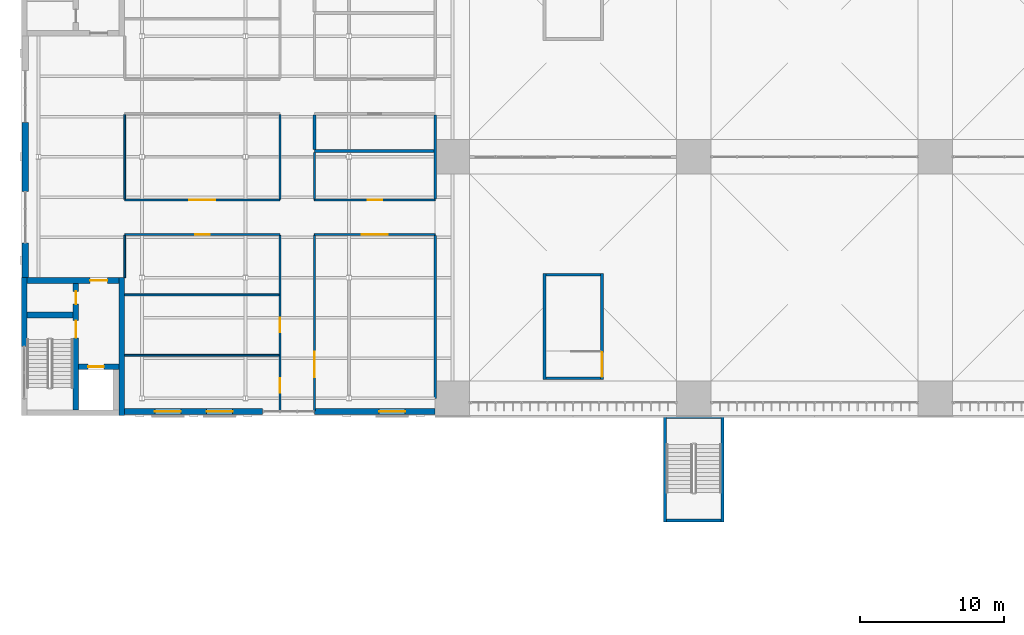
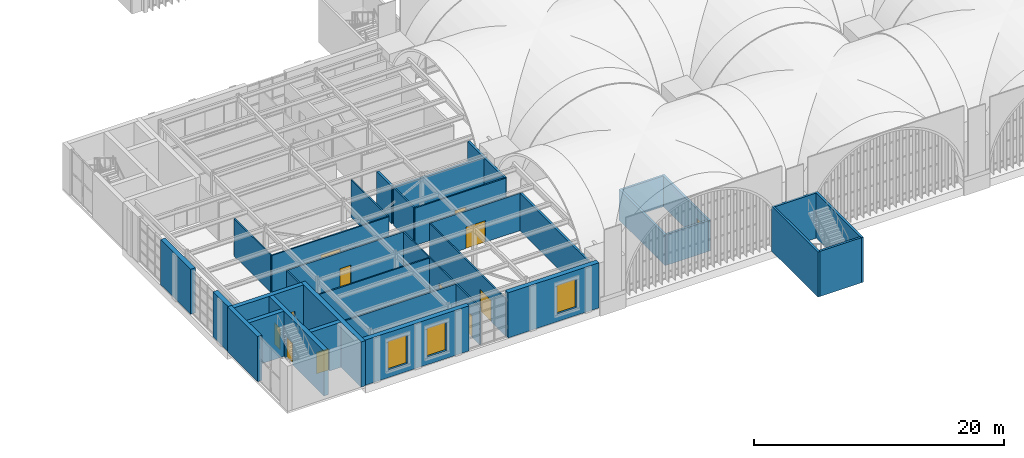
# One storey, part 97 of 169: 34 walls, 12 doors, 3 windows, 15 openings.
"""IFC4 building model written with IfcOpenShell, lengths in metres."""

from ifc_helpers import new_model, si_unit, direction, frame, frame_2d, origin, place, context, subcontext, project, spatial, rectangle, extrude, material, layer, layer_set, type_object, element, fill, save


model = new_model("IFC4")

# Units and contexts
model_context = context("Model", 3, precision=1e-05, world=origin(), true_north=direction((0.0, 1.0)))
body_context = subcontext(model_context, "Body", "Model", "MODEL_VIEW")
ifc_project = project(units=[si_unit("LENGTHUNIT", "METRE"), si_unit("AREAUNIT", "SQUARE_METRE"), si_unit("VOLUMEUNIT", "CUBIC_METRE"), si_unit("PLANEANGLEUNIT", "RADIAN"), si_unit("MASSUNIT", "GRAM", prefix="KILO")], contexts=[model_context])

# Site, building, storey
site_placement = place(None, origin())
site = spatial("IfcSite", under=ifc_project, at=site_placement, CompositionType="ELEMENT")
building_placement = place(site_placement, origin())
building = spatial("IfcBuilding", under=site, at=building_placement, Name="Verrick Yard Athletic Hall", CompositionType="ELEMENT")
storey_placement = place(building_placement, frame((0.0, 0.0, 4.39990234375)))
storey = spatial("IfcBuildingStorey", under=building, at=storey_placement, Name="L01", CompositionType="ELEMENT", Elevation=4.39990234375)

# Wall, openings, doors
ifc_material_1 = material(Name="Concrete 35 MPa", Category="concrete")
ifc_layer_1 = layer(ifc_material_1, 0.39990234375)
ifc_layer_set_1 = layer_set([ifc_layer_1], Name="Core wall CR400")
wall_type_1 = type_object("IfcWallType", Name="Core wall CR400", PredefinedType="SHEAR", material=ifc_layer_set_1)
wall_1_placement = place(storey_placement, frame((13.800048828125, 18.39990234375, 0.0), z_axis=(0.0, 0.0, 1.0), x_axis=(0.0, 1.0, 0.0)))
wall_1 = element("IfcWall", 1, at=wall_1_placement, inside=storey, type_object=wall_type_1, Name="CORE-CB1-WP-L01", PredefinedType="SHEAR", context=body_context, shape_type="SweptSolid", body=[
    extrude(rectangle(XDim=8.800048828125, YDim=0.39990234375, at=frame_2d((4.39990234375, 0.0))), origin(), (0.0, 0.0, 1.0), 4.400146484375),
])
opening_1_placement = place(wall_1_placement, frame((5.0, 0.0, 0.0)))
opening_1 = element("IfcOpeningElement", 2, at=opening_1_placement, cuts=wall_1, Name="Opening SD1", PredefinedType="OPENING", context=body_context, shape_type="SweptSolid", body=[
    extrude(rectangle(XDim=1.199951171875, YDim=2.10009765625, at=frame_2d((0.60009765625, 1.050048828125))), frame((0.0, 0.2099609375, 0.0), z_axis=(0.0, -1.0, 0.0), x_axis=(1.0, 0.0, 0.0)), (0.0, 0.0, 1.0), 0.419921875),
])
opening_2_placement = place(wall_1_placement, frame((7.35009765625, 0.0, 0.0)))
opening_2 = element("IfcOpeningElement", 3, at=opening_2_placement, cuts=wall_1, Name="Opening RD1", PredefinedType="OPENING", context=body_context, shape_type="SweptSolid", body=[
    extrude(rectangle(XDim=0.89990234375, YDim=2.10009765625, at=frame_2d((0.449951171875, 1.050048828125))), frame((0.0, 0.2099609375, 0.0), z_axis=(0.0, -1.0, 0.0), x_axis=(1.0, 0.0, 0.0)), (0.0, 0.0, 1.0), 0.419921875),
])
ifc_material_2 = material(Name="Hollow metal door leaf")
door_type_1 = type_object("IfcDoorType", Name="Core door RD1 900x2100", OperationType="NOTDEFINED", PredefinedType="DOOR", material=ifc_material_2)
door_1_placement = place(opening_2_placement, origin())
door_1 = element("IfcDoor", 4, at=door_1_placement, inside=storey, type_object=door_type_1, Name="CORE-CB1-WP-L01-DRD1-2620", OperationType="SINGLE_SWING_LEFT", OverallHeight=2.10009765625, OverallWidth=0.89990234375, PredefinedType="DOOR", context=body_context, shape_type="SweptSolid", body=[
    extrude(rectangle(XDim=0.89990234375, YDim=2.10009765625, at=frame_2d((0.449951171875, 1.050048828125))), frame((0.0, 0.02490234375, 0.0), z_axis=(0.0, -1.0, 0.0), x_axis=(1.0, 0.0, 0.0)), (0.0, 0.0, 1.0), 0.050048828125),
])
fill(opening_2, door_1)
door_type_2 = type_object("IfcDoorType", Name="Core door SD1 1200x2100", OperationType="NOTDEFINED", PredefinedType="DOOR", material=ifc_material_2)
door_2_placement = place(opening_1_placement, origin())
door_2 = element("IfcDoor", 5, at=door_2_placement, inside=storey, type_object=door_type_2, Name="CORE-CB1-WP-L01-DSD1-2400", OperationType="SINGLE_SWING_LEFT", OverallHeight=2.10009765625, OverallWidth=1.199951171875, PredefinedType="DOOR", context=body_context, shape_type="SweptSolid", body=[
    extrude(rectangle(XDim=1.199951171875, YDim=2.10009765625, at=frame_2d((0.60009765625, 1.050048828125))), frame((0.0, 0.02490234375, 0.0), z_axis=(0.0, -1.0, 0.0), x_axis=(1.0, 0.0, 0.0)), (0.0, 0.0, 1.0), 0.050048828125),
])
fill(opening_1, door_2)

# Wall
wall_2_placement = place(storey_placement, frame((10.39990234375, 25.0, 0.0), z_axis=(0.0, 0.0, 1.0), x_axis=(1.0, 0.0, 0.0)))
element("IfcWall", 6, at=wall_2_placement, inside=storey, type_object=wall_type_1, Name="CORE-CB1-WSN-L01", PredefinedType="SHEAR", context=body_context, shape_type="SweptSolid", body=[
    extrude(rectangle(XDim=3.2001953125, YDim=0.39990234375, at=frame_2d((1.60009765625, 0.0))), origin(), (0.0, 0.0, 1.0), 4.400146484375),
])

# Wall, opening, door
wall_3_placement = place(storey_placement, frame((14.0, 21.39990234375, 0.0), z_axis=(0.0, 0.0, 1.0), x_axis=(1.0, 0.0, 0.0)))
wall_3 = element("IfcWall", 7, at=wall_3_placement, inside=storey, type_object=wall_type_1, Name="CORE-CB1-WLN-L01", PredefinedType="SHEAR", context=body_context, shape_type="SweptSolid", body=[
    extrude(rectangle(XDim=2.800048828125, YDim=0.39990234375, at=frame_2d((1.39990234375, 0.0))), origin(), (0.0, 0.0, 1.0), 4.400146484375),
])
opening_3_placement = place(wall_3_placement, frame((0.64990234375, 0.0, 0.0)))
opening_3 = element("IfcOpeningElement", 8, at=opening_3_placement, cuts=wall_3, Name="Opening LD", PredefinedType="OPENING", context=body_context, shape_type="SweptSolid", body=[
    extrude(rectangle(XDim=1.10009765625, YDim=2.10009765625, at=frame_2d((0.550048828125, 1.050048828125))), frame((0.0, 0.2099609375, 0.0), z_axis=(0.0, -1.0, 0.0), x_axis=(1.0, 0.0, 0.0)), (0.0, 0.0, 1.0), 0.419921875),
])
ifc_material_3 = material(Name="Stainless steel landing door", Category="steel")
door_type_3 = type_object("IfcDoorType", Name="Lift landing door LD 1100x2100", OperationType="NOTDEFINED", PredefinedType="DOOR", material=ifc_material_3)
door_3_placement = place(opening_3_placement, origin())
door_3 = element("IfcDoor", 9, at=door_3_placement, inside=storey, type_object=door_type_3, Name="Lift landing door", OperationType="SLIDING_TO_LEFT", OverallHeight=2.10009765625, OverallWidth=1.10009765625, PredefinedType="DOOR", context=body_context, shape_type="SweptSolid", body=[
    extrude(rectangle(XDim=1.10009765625, YDim=2.10009765625, at=frame_2d((0.550048828125, 1.050048828125))), frame((0.0, 0.02490234375, 0.0), z_axis=(0.0, -1.0, 0.0), x_axis=(1.0, 0.0, 0.0)), (0.0, 0.0, 1.0), 0.050048828125),
])
fill(opening_3, door_3)

# Wall
ifc_layer_2 = layer(ifc_material_1, 0.199951171875)
ifc_layer_set_2 = layer_set([ifc_layer_2], Name="Enclosure wall CR200")
wall_type_2 = type_object("IfcWallType", Name="Enclosure wall CR200", PredefinedType="SOLIDWALL", material=ifc_layer_set_2)
wall_4_placement = place(storey_placement, frame((46.39990234375, 20.5, 0.0), z_axis=(0.0, 0.0, 1.0), x_axis=(0.0, 1.0, 0.0)))
element("IfcWall", 10, at=wall_4_placement, inside=storey, type_object=wall_type_2, Name="CORE-PS-S1-WW-L01", PredefinedType="SOLIDWALL", context=body_context, shape_type="SweptSolid", body=[
    extrude(rectangle(XDim=7.39990234375, YDim=0.199951171875, at=frame_2d((3.699951171875, 0.0))), origin(), (0.0, 0.0, 1.0), 3.0),
])

# Wall, opening, door
wall_5_placement = place(storey_placement, frame((50.39990234375, 20.5, 0.0), z_axis=(0.0, 0.0, 1.0), x_axis=(0.0, 1.0, 0.0)))
wall_5 = element("IfcWall", 11, at=wall_5_placement, inside=storey, type_object=wall_type_2, Name="CORE-PS-S1-WE-L01", PredefinedType="SOLIDWALL", context=body_context, shape_type="SweptSolid", body=[
    extrude(rectangle(XDim=7.39990234375, YDim=0.199951171875, at=frame_2d((3.699951171875, 0.0))), origin(), (0.0, 0.0, 1.0), 3.0),
])
opening_4_placement = place(wall_5_placement, frame((0.199951171875, 0.0, 0.0)))
opening_4 = element("IfcOpeningElement", 12, at=opening_4_placement, cuts=wall_5, Name="Opening SD2", PredefinedType="OPENING", context=body_context, shape_type="SweptSolid", body=[
    extrude(rectangle(XDim=1.699951171875, YDim=2.10009765625, at=frame_2d((0.85009765625, 1.050048828125))), frame((0.0, 0.10986328125, 0.0), z_axis=(0.0, -1.0, 0.0), x_axis=(1.0, 0.0, 0.0)), (0.0, 0.0, 1.0), 0.219970703125),
])
door_type_4 = type_object("IfcDoorType", Name="Core door SD2 1700x2100", OperationType="NOTDEFINED", PredefinedType="DOOR", material=ifc_material_2)
door_4_placement = place(opening_4_placement, origin())
door_4 = element("IfcDoor", 13, at=door_4_placement, inside=storey, type_object=door_type_4, Name="CORE-PS-S1-WE-L01-DSD2-2155", OperationType="DOUBLE_DOOR_SINGLE_SWING", OverallHeight=2.10009765625, OverallWidth=1.699951171875, PredefinedType="DOOR", context=body_context, shape_type="SweptSolid", body=[
    extrude(rectangle(XDim=1.699951171875, YDim=2.10009765625, at=frame_2d((0.85009765625, 1.050048828125))), frame((0.0, 0.02490234375, 0.0), z_axis=(0.0, -1.0, 0.0), x_axis=(1.0, 0.0, 0.0)), (0.0, 0.0, 1.0), 0.050048828125),
])
fill(opening_4, door_4)

# Walls
for number, where, z_axis, x_axis, name in (
    (14, (46.5, 20.60009765625, 0.0), (0.0, 0.0, 1.0), (1.0, 0.0, 0.0), "CORE-PS-S1-WS-L01"),
    (15, (46.5, 27.800048828125, 0.0), (0.0, 0.0, 1.0), (1.0, 0.0, 0.0), "CORE-PS-S1-WN-L01"),
):
    element("IfcWall", number, at=place(storey_placement, frame(where, z_axis=z_axis, x_axis=x_axis)), inside=storey, type_object=wall_type_2, Name=name, PredefinedType="SOLIDWALL", context=body_context, shape_type="SweptSolid", body=[
        extrude(rectangle(XDim=3.800048828125, YDim=0.199951171875, at=frame_2d((1.89990234375, 0.0))), origin(), (0.0, 0.0, 1.0), 3.0),
    ])
ifc_layer_3 = layer(ifc_material_1, 0.39990234375)
ifc_layer_set_3 = layer_set([ifc_layer_3], Name="External core wall CR400")
wall_type_3 = type_object("IfcWallType", Name="External core wall CR400", PredefinedType="SHEAR", material=ifc_layer_set_3)
wall_6_placement = place(storey_placement, frame((10.199951171875, 22.800048828125, 0.0), z_axis=(0.0, 0.0, 1.0), x_axis=(0.0, 1.0, 0.0)))
element("IfcWall", 16, at=wall_6_placement, inside=storey, type_object=wall_type_3, Name="CORE-CB1-WW-L01-1", PredefinedType="SHEAR", context=body_context, shape_type="SweptSolid", body=[
    extrude(rectangle(XDim=4.800048828125, YDim=0.39990234375, at=frame_2d((2.39990234375, 0.0))), origin(), (0.0, 0.0, 1.0), 4.400146484375),
])
wall_7_placement = place(storey_placement, frame((17.0, 18.0, 0.0), z_axis=(0.0, 0.0, 1.0), x_axis=(0.0, 1.0, 0.0)))
element("IfcWall", 17, at=wall_7_placement, inside=storey, type_object=wall_type_3, Name="CORE-CB1-WE-L01", PredefinedType="SHEAR", context=body_context, shape_type="SweptSolid", body=[
    extrude(rectangle(XDim=9.60009765625, YDim=0.39990234375, at=frame_2d((4.800048828125, 0.0))), origin(), (0.0, 0.0, 1.0), 4.400146484375),
])

# Wall, opening, door
wall_8_placement = place(storey_placement, frame((10.39990234375, 27.39990234375, 0.0), z_axis=(0.0, 0.0, 1.0), x_axis=(1.0, 0.0, 0.0)))
wall_8 = element("IfcWall", 18, at=wall_8_placement, inside=storey, type_object=wall_type_3, Name="CORE-CB1-WN-L01", PredefinedType="SHEAR", context=body_context, shape_type="SweptSolid", body=[
    extrude(rectangle(XDim=6.400146484375, YDim=0.39990234375, at=frame_2d((3.2001953125, 0.0))), origin(), (0.0, 0.0, 1.0), 4.400146484375),
])
opening_5_placement = place(wall_8_placement, frame((4.39990234375, 0.0, 0.0)))
opening_5 = element("IfcOpeningElement", 19, at=opening_5_placement, cuts=wall_8, Name="Opening LB1", PredefinedType="OPENING", context=body_context, shape_type="SweptSolid", body=[
    extrude(rectangle(XDim=1.199951171875, YDim=2.10009765625, at=frame_2d((0.60009765625, 1.050048828125))), frame((0.0, 0.2099609375, 0.0), z_axis=(0.0, -1.0, 0.0), x_axis=(1.0, 0.0, 0.0)), (0.0, 0.0, 1.0), 0.419921875),
])
door_type_5 = type_object("IfcDoorType", Name="Core door LB1 1200x2100", OperationType="NOTDEFINED", PredefinedType="DOOR", material=ifc_material_2)
door_5_placement = place(opening_5_placement, origin())
door_5 = element("IfcDoor", 20, at=door_5_placement, inside=storey, type_object=door_type_5, Name="CORE-CB1-WN-L01-DLB1-1540", OperationType="SINGLE_SWING_LEFT", OverallHeight=2.10009765625, OverallWidth=1.199951171875, PredefinedType="DOOR", context=body_context, shape_type="SweptSolid", body=[
    extrude(rectangle(XDim=1.199951171875, YDim=2.10009765625, at=frame_2d((0.60009765625, 1.050048828125))), frame((0.0, 0.02490234375, 0.0), z_axis=(0.0, -1.0, 0.0), x_axis=(1.0, 0.0, 0.0)), (0.0, 0.0, 1.0), 0.050048828125),
])
fill(opening_5, door_5)

# Walls
ifc_layer_4 = layer(ifc_material_1, 0.199951171875)
ifc_layer_set_4 = layer_set([ifc_layer_4], Name="External enclosure wall CR200")
wall_type_4 = type_object("IfcWallType", Name="External enclosure wall CR200", PredefinedType="SOLIDWALL", material=ifc_layer_set_4)
for number, where, z_axis, x_axis, name in (
    (21, (54.800048828125, 10.60009765625, 0.0), (0.0, 0.0, 1.0), (0.0, 1.0, 0.0), "CORE-DT-S1-WW-L01"),
    (22, (58.800048828125, 18.0, 0.0), (0.0, 0.0, 1.0), (0.0, -1.0, 0.0), "CORE-DT-S1-WE-L01"),
):
    element("IfcWall", number, at=place(storey_placement, frame(where, z_axis=z_axis, x_axis=x_axis)), inside=storey, type_object=wall_type_4, Name=name, PredefinedType="SOLIDWALL", context=body_context, shape_type="SweptSolid", body=[
        extrude(rectangle(XDim=7.39990234375, YDim=0.199951171875, at=frame_2d((3.699951171875, 0.0))), origin(), (0.0, 0.0, 1.0), 4.400146484375),
    ])
for number, where, z_axis, x_axis, name in (
    (23, (54.89990234375, 10.699951171875, 0.0), (0.0, 0.0, 1.0), (1.0, 0.0, 0.0), "CORE-DT-S1-WS-L01"),
    (24, (54.89990234375, 17.89990234375, 0.0), (0.0, 0.0, 1.0), (1.0, 0.0, 0.0), "CORE-DT-S1-WN-L01"),
):
    element("IfcWall", number, at=place(storey_placement, frame(where, z_axis=z_axis, x_axis=x_axis)), inside=storey, type_object=wall_type_4, Name=name, PredefinedType="SOLIDWALL", context=body_context, shape_type="SweptSolid", body=[
        extrude(rectangle(XDim=3.800048828125, YDim=0.199951171875, at=frame_2d((1.89990234375, 0.0))), origin(), (0.0, 0.0, 1.0), 4.400146484375),
    ])
ifc_material_4 = material(Name="Concrete masonry block 15 MPa", Category="masonry")
ifc_layer_5 = layer(ifc_material_4, 0.199951171875)
ifc_layer_set_5 = layer_set([ifc_layer_5], Name="PW1 Block partition 200")
wall_type_5 = type_object("IfcWallType", Name="PW1 Block partition 200", PredefinedType="PARTITIONING", material=ifc_layer_set_5)
wall_9_placement = place(storey_placement, frame((30.39990234375, 36.39990234375, 0.0), z_axis=(0.0, 0.0, 1.0), x_axis=(1.0, 0.0, 0.0)))
element("IfcWall", 25, at=wall_9_placement, inside=storey, type_object=wall_type_5, Name="Partition PW1", PredefinedType="PARTITIONING", context=body_context, shape_type="SweptSolid", body=[
    extrude(rectangle(XDim=8.300048828125, YDim=0.199951171875, at=frame_2d((4.14990234375, 0.0))), origin(), (0.0, 0.0, 1.0), 3.650146484375),
])
wall_10_placement = place(storey_placement, frame((30.39990234375, 36.5, 0.0), z_axis=(0.0, 0.0, 1.0), x_axis=(0.0, 1.0, 0.0)))
element("IfcWall", 26, at=wall_10_placement, inside=storey, type_object=wall_type_5, Name="Partition PW1", PredefinedType="PARTITIONING", context=body_context, shape_type="SweptSolid", body=[
    extrude(rectangle(XDim=2.39990234375, YDim=0.199951171875, at=frame_2d((1.199951171875, 0.0))), origin(), (0.0, 0.0, 1.0), 3.650146484375),
])
ifc_material_5 = material(Name="Gypsum plasterboard on light-gauge studs")
ifc_layer_6 = layer(ifc_material_5, 0.125)
ifc_layer_set_6 = layer_set([ifc_layer_6], Name="PW2 Stud partition 125")
wall_type_6 = type_object("IfcWallType", Name="PW2 Stud partition 125", PredefinedType="PARTITIONING", material=ifc_layer_set_6)
for number, where, z_axis, x_axis, name in (
    (27, (17.199951171875, 22.199951171875, 0.0), (0.0, 0.0, 1.0), (1.0, 0.0, 0.0), "Partition PW2"),
    (28, (17.199951171875, 26.39990234375, 0.0), (0.0, 0.0, 1.0), (1.0, 0.0, 0.0), "Partition PW2"),
):
    element("IfcWall", number, at=place(storey_placement, frame(where, z_axis=z_axis, x_axis=x_axis)), inside=storey, type_object=wall_type_6, Name=name, PredefinedType="PARTITIONING", context=body_context, shape_type="SweptSolid", body=[
        extrude(rectangle(XDim=10.737548828125, YDim=0.125, at=frame_2d((5.36865234375, 0.0))), origin(), (0.0, 0.0, 1.0), 3.650146484375),
    ])

# Wall, opening, door
wall_11_placement = place(storey_placement, frame((17.199951171875, 30.60009765625, 0.0), z_axis=(0.0, 0.0, 1.0), x_axis=(1.0, 0.0, 0.0)))
wall_11 = element("IfcWall", 29, at=wall_11_placement, inside=storey, type_object=wall_type_6, Name="Partition PW2", PredefinedType="PARTITIONING", context=body_context, shape_type="SweptSolid", body=[
    extrude(rectangle(XDim=10.800048828125, YDim=0.125, at=frame_2d((5.39990234375, 0.0))), origin(), (0.0, 0.0, 1.0), 3.650146484375),
])
opening_6_placement = place(wall_11_placement, frame((4.89990234375, 0.0, 0.0)))
opening_6 = element("IfcOpeningElement", 30, at=opening_6_placement, cuts=wall_11, Name="Opening D1", PredefinedType="OPENING", context=body_context, shape_type="SweptSolid", body=[
    extrude(rectangle(XDim=1.0, YDim=2.10009765625, at=frame_2d((0.5, 1.050048828125))), frame((0.0, 0.072509765625, 0.0), z_axis=(0.0, -1.0, 0.0), x_axis=(1.0, 0.0, 0.0)), (0.0, 0.0, 1.0), 0.14501953125),
])
ifc_material_6 = material(Name="Timber door leaf in steel frame", Category="steel")
door_type_6 = type_object("IfcDoorType", Name="D1 Single door 1000 x 2100", OperationType="NOTDEFINED", PredefinedType="DOOR", material=ifc_material_6)
door_6_placement = place(opening_6_placement, origin())
door_6 = element("IfcDoor", 31, at=door_6_placement, inside=storey, type_object=door_type_6, Name="D1 Consulting Room 3", OperationType="SINGLE_SWING_RIGHT", OverallHeight=2.10009765625, OverallWidth=1.0, PredefinedType="DOOR", context=body_context, shape_type="SweptSolid", body=[
    extrude(rectangle(XDim=1.0, YDim=2.10009765625, at=frame_2d((0.5, 1.050048828125))), frame((0.0, 0.02490234375, 0.0), z_axis=(0.0, -1.0, 0.0), x_axis=(1.0, 0.0, 0.0)), (0.0, 0.0, 1.0), 0.050048828125),
])
fill(opening_6, door_6)

wall_12_placement = place(storey_placement, frame((30.39990234375, 30.60009765625, 0.0), z_axis=(0.0, 0.0, 1.0), x_axis=(1.0, 0.0, 0.0)))
wall_12 = element("IfcWall", 32, at=wall_12_placement, inside=storey, type_object=wall_type_6, Name="Partition PW2", PredefinedType="PARTITIONING", context=body_context, shape_type="SweptSolid", body=[
    extrude(rectangle(XDim=8.400146484375, YDim=0.125, at=frame_2d((4.2001953125, 0.0))), origin(), (0.0, 0.0, 1.0), 3.650146484375),
])
opening_7_placement = place(wall_12_placement, frame((3.300048828125, 0.0, 0.0)))
opening_7 = element("IfcOpeningElement", 33, at=opening_7_placement, cuts=wall_12, Name="Opening D3", PredefinedType="OPENING", context=body_context, shape_type="SweptSolid", body=[
    extrude(rectangle(XDim=1.800048828125, YDim=2.10009765625, at=frame_2d((0.89990234375, 1.050048828125))), frame((0.0, 0.072509765625, 0.0), z_axis=(0.0, -1.0, 0.0), x_axis=(1.0, 0.0, 0.0)), (0.0, 0.0, 1.0), 0.14501953125),
])
door_type_7 = type_object("IfcDoorType", Name="D3 Double door 1800 x 2100", OperationType="NOTDEFINED", PredefinedType="DOOR", material=ifc_material_6)
door_7_placement = place(opening_7_placement, origin())
door_7 = element("IfcDoor", 34, at=door_7_placement, inside=storey, type_object=door_type_7, Name="D3 Rehabilitation Gym", OperationType="DOUBLE_DOOR_SINGLE_SWING", OverallHeight=2.10009765625, OverallWidth=1.800048828125, PredefinedType="DOOR", context=body_context, shape_type="SweptSolid", body=[
    extrude(rectangle(XDim=1.800048828125, YDim=2.10009765625, at=frame_2d((0.89990234375, 1.050048828125))), frame((0.0, 0.02490234375, 0.0), z_axis=(0.0, -1.0, 0.0), x_axis=(1.0, 0.0, 0.0)), (0.0, 0.0, 1.0), 0.050048828125),
])
fill(opening_7, door_7)

wall_13_placement = place(storey_placement, frame((17.199951171875, 33.0, 0.0), z_axis=(0.0, 0.0, 1.0), x_axis=(1.0, 0.0, 0.0)))
wall_13 = element("IfcWall", 35, at=wall_13_placement, inside=storey, type_object=wall_type_6, Name="Partition PW2", PredefinedType="PARTITIONING", context=body_context, shape_type="SweptSolid", body=[
    extrude(rectangle(XDim=10.800048828125, YDim=0.125, at=frame_2d((5.39990234375, 0.0))), origin(), (0.0, 0.0, 1.0), 3.650146484375),
])
opening_8_placement = place(wall_13_placement, frame((4.5, 0.0, 0.0)))
opening_8 = element("IfcOpeningElement", 36, at=opening_8_placement, cuts=wall_13, Name="Opening D3", PredefinedType="OPENING", context=body_context, shape_type="SweptSolid", body=[
    extrude(rectangle(XDim=1.800048828125, YDim=2.10009765625, at=frame_2d((0.89990234375, 1.050048828125))), frame((0.0, 0.072509765625, 0.0), z_axis=(0.0, -1.0, 0.0), x_axis=(1.0, 0.0, 0.0)), (0.0, 0.0, 1.0), 0.14501953125),
])
door_8_placement = place(opening_8_placement, origin())
door_8 = element("IfcDoor", 37, at=door_8_placement, inside=storey, type_object=door_type_7, Name="D3 Clinic Reception", OperationType="DOUBLE_DOOR_SINGLE_SWING", OverallHeight=2.10009765625, OverallWidth=1.800048828125, PredefinedType="DOOR", context=body_context, shape_type="SweptSolid", body=[
    extrude(rectangle(XDim=1.800048828125, YDim=2.10009765625, at=frame_2d((0.89990234375, 1.050048828125))), frame((0.0, 0.02490234375, 0.0), z_axis=(0.0, -1.0, 0.0), x_axis=(1.0, 0.0, 0.0)), (0.0, 0.0, 1.0), 0.050048828125),
])
fill(opening_8, door_8)

wall_14_placement = place(storey_placement, frame((30.39990234375, 33.0, 0.0), z_axis=(0.0, 0.0, 1.0), x_axis=(1.0, 0.0, 0.0)))
wall_14 = element("IfcWall", 38, at=wall_14_placement, inside=storey, type_object=wall_type_6, Name="Partition PW2", PredefinedType="PARTITIONING", context=body_context, shape_type="SweptSolid", body=[
    extrude(rectangle(XDim=8.400146484375, YDim=0.125, at=frame_2d((4.2001953125, 0.0))), origin(), (0.0, 0.0, 1.0), 3.650146484375),
])
opening_9_placement = place(wall_14_placement, frame((3.699951171875, 0.0, 0.0)))
opening_9 = element("IfcOpeningElement", 39, at=opening_9_placement, cuts=wall_14, Name="Opening D1", PredefinedType="OPENING", context=body_context, shape_type="SweptSolid", body=[
    extrude(rectangle(XDim=1.0, YDim=2.10009765625, at=frame_2d((0.5, 1.050048828125))), frame((0.0, 0.072509765625, 0.0), z_axis=(0.0, -1.0, 0.0), x_axis=(1.0, 0.0, 0.0)), (0.0, 0.0, 1.0), 0.14501953125),
])
door_9_placement = place(opening_9_placement, origin())
door_9 = element("IfcDoor", 40, at=door_9_placement, inside=storey, type_object=door_type_6, Name="D1 Physiotherapy Room", OperationType="SINGLE_SWING_LEFT", OverallHeight=2.10009765625, OverallWidth=1.0, PredefinedType="DOOR", context=body_context, shape_type="SweptSolid", body=[
    extrude(rectangle(XDim=1.0, YDim=2.10009765625, at=frame_2d((0.5, 1.050048828125))), frame((0.0, 0.02490234375, 0.0), z_axis=(0.0, -1.0, 0.0), x_axis=(1.0, 0.0, 0.0)), (0.0, 0.0, 1.0), 0.050048828125),
])
fill(opening_9, door_9)

# Walls
wall_15_placement = place(storey_placement, frame((17.199951171875, 27.60009765625, 0.0), z_axis=(0.0, 0.0, 1.0), x_axis=(0.0, 1.0, 0.0)))
element("IfcWall", 41, at=wall_15_placement, inside=storey, type_object=wall_type_6, Name="Partition PW2", PredefinedType="PARTITIONING", context=body_context, shape_type="SweptSolid", body=[
    extrude(rectangle(XDim=2.9375, YDim=0.125, at=frame_2d((1.46875, 0.0))), origin(), (0.0, 0.0, 1.0), 3.650146484375),
])
wall_16_placement = place(storey_placement, frame((17.199951171875, 33.0625, 0.0), z_axis=(0.0, 0.0, 1.0), x_axis=(0.0, 1.0, 0.0)))
element("IfcWall", 42, at=wall_16_placement, inside=storey, type_object=wall_type_6, Name="Partition PW2", PredefinedType="PARTITIONING", context=body_context, shape_type="SweptSolid", body=[
    extrude(rectangle(XDim=5.875, YDim=0.125, at=frame_2d((2.9375, 0.0))), origin(), (0.0, 0.0, 1.0), 3.650146484375),
])

# Wall, openings, doors
wall_17_placement = place(storey_placement, frame((28.0, 18.351318359375, 0.0), z_axis=(0.0, 0.0, 1.0), x_axis=(0.0, 1.0, 0.0)))
wall_17 = element("IfcWall", 43, at=wall_17_placement, inside=storey, type_object=wall_type_6, Name="Partition PW2", PredefinedType="PARTITIONING", context=body_context, shape_type="SweptSolid", body=[
    extrude(rectangle(XDim=12.186279296875, YDim=0.125, at=frame_2d((6.09326171875, 0.0))), origin(), (0.0, 0.0, 1.0), 3.650146484375),
])
opening_10_placement = place(wall_17_placement, frame((1.2490234375, 0.0, 0.0)))
opening_10 = element("IfcOpeningElement", 44, at=opening_10_placement, cuts=wall_17, Name="Opening D1", PredefinedType="OPENING", context=body_context, shape_type="SweptSolid", body=[
    extrude(rectangle(XDim=1.0, YDim=2.10009765625, at=frame_2d((0.5, 1.050048828125))), frame((0.0, 0.072509765625, 0.0), z_axis=(0.0, -1.0, 0.0), x_axis=(1.0, 0.0, 0.0)), (0.0, 0.0, 1.0), 0.14501953125),
])
opening_11_placement = place(wall_17_placement, frame((5.448974609375, 0.0, 0.0)))
opening_11 = element("IfcOpeningElement", 45, at=opening_11_placement, cuts=wall_17, Name="Opening D1", PredefinedType="OPENING", context=body_context, shape_type="SweptSolid", body=[
    extrude(rectangle(XDim=1.0, YDim=2.10009765625, at=frame_2d((0.5, 1.050048828125))), frame((0.0, 0.072509765625, 0.0), z_axis=(0.0, -1.0, 0.0), x_axis=(1.0, 0.0, 0.0)), (0.0, 0.0, 1.0), 0.14501953125),
])
door_10_placement = place(opening_10_placement, origin())
door_10 = element("IfcDoor", 46, at=door_10_placement, inside=storey, type_object=door_type_6, Name="D1 Consulting Room 1", OperationType="SINGLE_SWING_RIGHT", OverallHeight=2.10009765625, OverallWidth=1.0, PredefinedType="DOOR", context=body_context, shape_type="SweptSolid", body=[
    extrude(rectangle(XDim=1.0, YDim=2.10009765625, at=frame_2d((0.5, 1.050048828125))), frame((0.0, 0.02490234375, 0.0), z_axis=(0.0, -1.0, 0.0), x_axis=(1.0, 0.0, 0.0)), (0.0, 0.0, 1.0), 0.050048828125),
])
fill(opening_10, door_10)
door_11_placement = place(opening_11_placement, origin())
door_11 = element("IfcDoor", 47, at=door_11_placement, inside=storey, type_object=door_type_6, Name="D1 Consulting Room 2", OperationType="SINGLE_SWING_LEFT", OverallHeight=2.10009765625, OverallWidth=1.0, PredefinedType="DOOR", context=body_context, shape_type="SweptSolid", body=[
    extrude(rectangle(XDim=1.0, YDim=2.10009765625, at=frame_2d((0.5, 1.050048828125))), frame((0.0, 0.02490234375, 0.0), z_axis=(0.0, -1.0, 0.0), x_axis=(1.0, 0.0, 0.0)), (0.0, 0.0, 1.0), 0.050048828125),
])
fill(opening_11, door_11)

# Wall
wall_18_placement = place(storey_placement, frame((28.0, 33.0625, 0.0), z_axis=(0.0, 0.0, 1.0), x_axis=(0.0, 1.0, 0.0)))
element("IfcWall", 48, at=wall_18_placement, inside=storey, type_object=wall_type_6, Name="Partition PW2", PredefinedType="PARTITIONING", context=body_context, shape_type="SweptSolid", body=[
    extrude(rectangle(XDim=5.875, YDim=0.125, at=frame_2d((2.9375, 0.0))), origin(), (0.0, 0.0, 1.0), 3.650146484375),
])

# Wall, opening, door
wall_19_placement = place(storey_placement, frame((30.39990234375, 18.351318359375, 0.0), z_axis=(0.0, 0.0, 1.0), x_axis=(0.0, 1.0, 0.0)))
wall_19 = element("IfcWall", 49, at=wall_19_placement, inside=storey, type_object=wall_type_6, Name="Partition PW2", PredefinedType="PARTITIONING", context=body_context, shape_type="SweptSolid", body=[
    extrude(rectangle(XDim=12.186279296875, YDim=0.125, at=frame_2d((6.09326171875, 0.0))), origin(), (0.0, 0.0, 1.0), 3.650146484375),
])
opening_12_placement = place(wall_19_placement, frame((2.299072265625, 0.0, 0.0)))
opening_12 = element("IfcOpeningElement", 50, at=opening_12_placement, cuts=wall_19, Name="Opening D3", PredefinedType="OPENING", context=body_context, shape_type="SweptSolid", body=[
    extrude(rectangle(XDim=1.800048828125, YDim=2.10009765625, at=frame_2d((0.89990234375, 1.050048828125))), frame((0.0, 0.072509765625, 0.0), z_axis=(0.0, -1.0, 0.0), x_axis=(1.0, 0.0, 0.0)), (0.0, 0.0, 1.0), 0.14501953125),
])
door_12_placement = place(opening_12_placement, origin())
door_12 = element("IfcDoor", 51, at=door_12_placement, inside=storey, type_object=door_type_7, Name="D3 Rehabilitation Gym", OperationType="DOUBLE_DOOR_SINGLE_SWING", OverallHeight=2.10009765625, OverallWidth=1.800048828125, PredefinedType="DOOR", context=body_context, shape_type="SweptSolid", body=[
    extrude(rectangle(XDim=1.800048828125, YDim=2.10009765625, at=frame_2d((0.89990234375, 1.050048828125))), frame((0.0, 0.02490234375, 0.0), z_axis=(0.0, -1.0, 0.0), x_axis=(1.0, 0.0, 0.0)), (0.0, 0.0, 1.0), 0.050048828125),
])
fill(opening_12, door_12)

# Walls
wall_20_placement = place(storey_placement, frame((30.39990234375, 33.0625, 0.0), z_axis=(0.0, 0.0, 1.0), x_axis=(0.0, 1.0, 0.0)))
element("IfcWall", 52, at=wall_20_placement, inside=storey, type_object=wall_type_6, Name="Partition PW2", PredefinedType="PARTITIONING", context=body_context, shape_type="SweptSolid", body=[
    extrude(rectangle(XDim=3.237548828125, YDim=0.125, at=frame_2d((1.61865234375, 0.0))), origin(), (0.0, 0.0, 1.0), 3.650146484375),
])
ifc_layer_7 = layer(ifc_material_4, 0.199951171875)
ifc_layer_set_7 = layer_set([ifc_layer_7], Name="PW3 Fire-rated block partition 200")
wall_type_7 = type_object("IfcWallType", Name="PW3 Fire-rated block partition 200", PredefinedType="PARTITIONING", material=ifc_layer_set_7)
wall_21_placement = place(storey_placement, frame((38.800048828125, 19.199951171875, 0.0), z_axis=(0.0, 0.0, 1.0), x_axis=(0.0, 1.0, 0.0)))
element("IfcWall", 53, at=wall_21_placement, inside=storey, type_object=wall_type_7, Name="Partition PW3", PredefinedType="PARTITIONING", context=body_context, shape_type="SweptSolid", body=[
    extrude(rectangle(XDim=11.337646484375, YDim=0.199951171875, at=frame_2d((5.6689453125, 0.0))), origin(), (0.0, 0.0, 1.0), 3.650146484375),
])
wall_22_placement = place(storey_placement, frame((38.800048828125, 33.0625, 0.0), z_axis=(0.0, 0.0, 1.0), x_axis=(0.0, 1.0, 0.0)))
element("IfcWall", 54, at=wall_22_placement, inside=storey, type_object=wall_type_7, Name="Partition PW3", PredefinedType="PARTITIONING", context=body_context, shape_type="SweptSolid", body=[
    extrude(rectangle(XDim=5.83740234375, YDim=0.199951171875, at=frame_2d((2.918701171875, 0.0))), origin(), (0.0, 0.0, 1.0), 3.650146484375),
])

# Wall, openings, windows
ifc_material_7 = material(Name="Clay face brick, red-brown", Category="masonry")
ifc_layer_8 = layer(ifc_material_7, 0.0625, Name="Clay face brick, red-brown")
ifc_material_8 = material(Name="Mineral wool insulation")
ifc_layer_9 = layer(ifc_material_8, 0.125, Name="Mineral wool insulation")
ifc_layer_10 = layer(ifc_material_1, 0.25, Name="Concrete 35 MPa")
ifc_layer_set_8 = layer_set([ifc_layer_8, ifc_layer_9, ifc_layer_10], Name="Wing upper wall")
wall_type_8 = type_object("IfcWallType", Name="Wing upper wall", PredefinedType="SOLIDWALL", material=ifc_layer_set_8)
wall_23_placement = place(storey_placement, frame((17.199951171875, 18.28125, 0.0), z_axis=(0.0, 0.0, 1.0), x_axis=(1.0, 0.0, 0.0)))
wall_23 = element("IfcWall", 55, at=wall_23_placement, inside=storey, type_object=wall_type_8, Name="ENVB-WS-L01-1", PredefinedType="SOLIDWALL", context=body_context, shape_type="SweptSolid", body=[
    extrude(rectangle(XDim=9.60009765625, YDim=0.4375, at=frame_2d((4.800048828125, 0.0))), origin(), (0.0, 0.0, 1.0), 4.400146484375),
])
opening_13_placement = place(wall_23_placement, frame((2.10009765625, 0.0, 0.75)))
opening_13 = element("IfcOpeningElement", 56, at=opening_13_placement, cuts=wall_23, Name="Opening W22", PredefinedType="OPENING", context=body_context, shape_type="SweptSolid", body=[
    extrude(rectangle(XDim=1.800048828125, YDim=2.800048828125, at=frame_2d((0.89990234375, 1.39990234375))), frame((0.0, 0.228759765625, 0.0), z_axis=(0.0, -1.0, 0.0), x_axis=(1.0, 0.0, 0.0)), (0.0, 0.0, 1.0), 0.45751953125),
])
opening_14_placement = place(wall_23_placement, frame((5.699951171875, 0.0, 0.75)))
opening_14 = element("IfcOpeningElement", 57, at=opening_14_placement, cuts=wall_23, Name="Opening W22", PredefinedType="OPENING", context=body_context, shape_type="SweptSolid", body=[
    extrude(rectangle(XDim=1.800048828125, YDim=2.800048828125, at=frame_2d((0.89990234375, 1.39990234375))), frame((0.0, 0.228759765625, 0.0), z_axis=(0.0, -1.0, 0.0), x_axis=(1.0, 0.0, 0.0)), (0.0, 0.0, 1.0), 0.45751953125),
])
ifc_material_9 = material(Name="Anodised aluminium frame with insulated glazing", Category="aluminium")
window_type = type_object("IfcWindowType", Name="Wing window 1800x2800", PartitioningType="NOTDEFINED", PredefinedType="WINDOW", material=ifc_material_9)
window_1_placement = place(opening_13_placement, origin())
window_1 = element("IfcWindow", 58, at=window_1_placement, inside=storey, type_object=window_type, Name="ENVB-WS-L01-1-W202", OverallHeight=2.800048828125, OverallWidth=1.800048828125, PartitioningType="SINGLE_PANEL", PredefinedType="WINDOW", context=body_context, shape_type="SweptSolid", body=[
    extrude(rectangle(XDim=1.800048828125, YDim=2.800048828125, at=frame_2d((0.89990234375, 1.39990234375))), frame((0.0, 0.030029296875, 0.0), z_axis=(0.0, -1.0, 0.0), x_axis=(1.0, 0.0, 0.0)), (0.0, 0.0, 1.0), 0.06005859375),
])
fill(opening_13, window_1)
window_2_placement = place(opening_14_placement, origin())
window_2 = element("IfcWindow", 59, at=window_2_placement, inside=storey, type_object=window_type, Name="ENVB-WS-L01-1-W238", OverallHeight=2.800048828125, OverallWidth=1.800048828125, PartitioningType="SINGLE_PANEL", PredefinedType="WINDOW", context=body_context, shape_type="SweptSolid", body=[
    extrude(rectangle(XDim=1.800048828125, YDim=2.800048828125, at=frame_2d((0.89990234375, 1.39990234375))), frame((0.0, 0.030029296875, 0.0), z_axis=(0.0, -1.0, 0.0), x_axis=(1.0, 0.0, 0.0)), (0.0, 0.0, 1.0), 0.06005859375),
])
fill(opening_14, window_2)

# Wall, opening, window
wall_24_placement = place(storey_placement, frame((30.39990234375, 18.28125, 0.0), z_axis=(0.0, 0.0, 1.0), x_axis=(1.0, 0.0, 0.0)))
wall_24 = element("IfcWall", 60, at=wall_24_placement, inside=storey, type_object=wall_type_8, Name="ENVB-WS-L01-2", PredefinedType="SOLIDWALL", context=body_context, shape_type="SweptSolid", body=[
    extrude(rectangle(XDim=8.400146484375, YDim=0.4375, at=frame_2d((4.2001953125, 0.0))), origin(), (0.0, 0.0, 1.0), 4.400146484375),
])
opening_15_placement = place(wall_24_placement, frame((4.5, 0.0, 0.75)))
opening_15 = element("IfcOpeningElement", 61, at=opening_15_placement, cuts=wall_24, Name="Opening W22", PredefinedType="OPENING", context=body_context, shape_type="SweptSolid", body=[
    extrude(rectangle(XDim=1.800048828125, YDim=2.800048828125, at=frame_2d((0.89990234375, 1.39990234375))), frame((0.0, 0.228759765625, 0.0), z_axis=(0.0, -1.0, 0.0), x_axis=(1.0, 0.0, 0.0)), (0.0, 0.0, 1.0), 0.45751953125),
])
window_3_placement = place(opening_15_placement, origin())
window_3 = element("IfcWindow", 62, at=window_3_placement, inside=storey, type_object=window_type, Name="ENVB-WS-L01-2-W358", OverallHeight=2.800048828125, OverallWidth=1.800048828125, PartitioningType="SINGLE_PANEL", PredefinedType="WINDOW", context=body_context, shape_type="SweptSolid", body=[
    extrude(rectangle(XDim=1.800048828125, YDim=2.800048828125, at=frame_2d((0.89990234375, 1.39990234375))), frame((0.0, 0.030029296875, 0.0), z_axis=(0.0, -1.0, 0.0), x_axis=(1.0, 0.0, 0.0)), (0.0, 0.0, 1.0), 0.06005859375),
])
fill(opening_15, window_3)

# Walls
wall_25_placement = place(storey_placement, frame((10.28125, 27.60009765625, 0.0), z_axis=(0.0, 0.0, 1.0), x_axis=(0.0, 1.0, 0.0)))
element("IfcWall", 63, at=wall_25_placement, inside=storey, type_object=wall_type_8, Name="ENVB-WW-L01-1", PredefinedType="SOLIDWALL", context=body_context, shape_type="SweptSolid", body=[
    extrude(rectangle(XDim=2.39990234375, YDim=0.4375, at=frame_2d((1.199951171875, 0.0))), origin(), (0.0, 0.0, 1.0), 4.400146484375),
])
wall_26_placement = place(storey_placement, frame((10.28125, 33.60009765625, 0.0), z_axis=(0.0, 0.0, 1.0), x_axis=(0.0, 1.0, 0.0)))
element("IfcWall", 64, at=wall_26_placement, inside=storey, type_object=wall_type_8, Name="ENVB-WW-L01-2", PredefinedType="SOLIDWALL", context=body_context, shape_type="SweptSolid", body=[
    extrude(rectangle(XDim=4.7998046875, YDim=0.4375, at=frame_2d((2.39990234375, 0.0))), origin(), (0.0, 0.0, 1.0), 4.400146484375),
])

save(model, "model.ifc")
